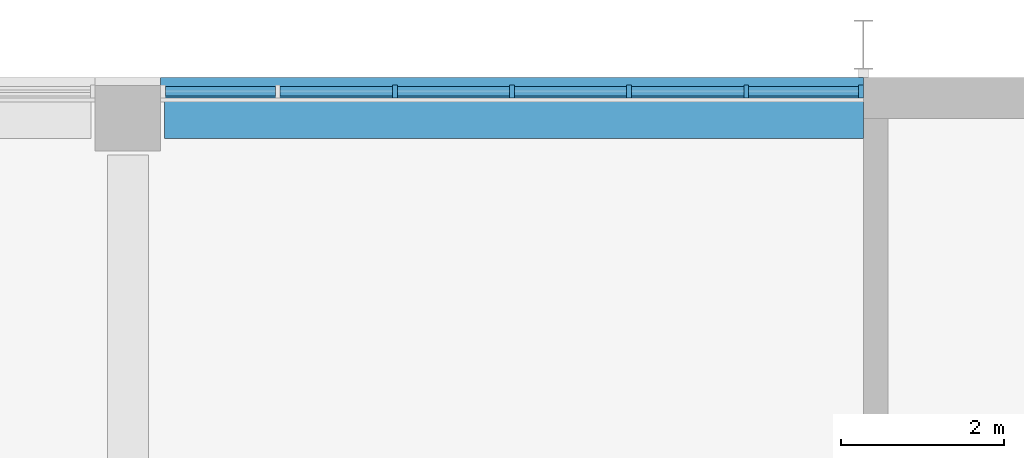
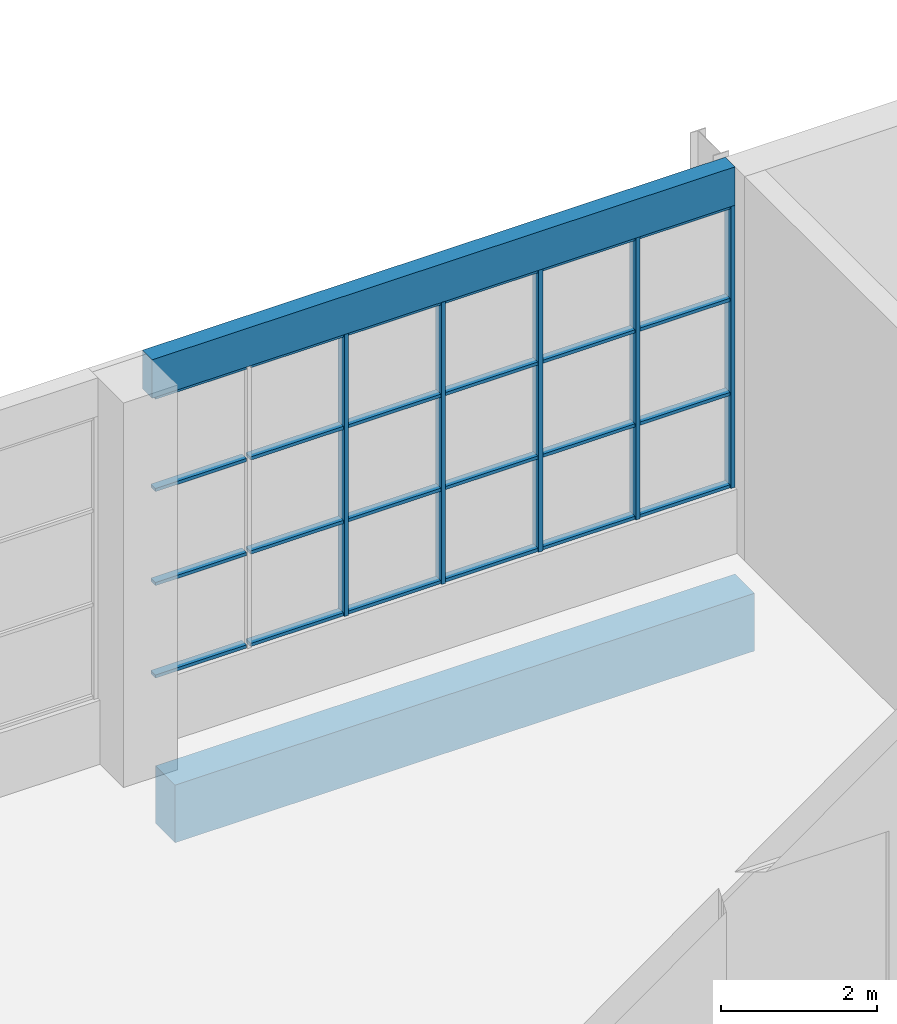
# One storey, part 26 of 89: 29 members, 2 beams, 1 element without a shape of its own.
"""IFC4 building model written with IfcOpenShell, lengths in metres."""

from ifc_helpers import new_model, si_unit, direction, frame, origin, origin_2d, place, context, subcontext, project, spatial, rectangle, extrude, material, material_profile, profile_set, type_object, element, aggregate, save


model = new_model("IFC4")

# Units and contexts
model_context = context("Model", 3, precision=1e-05, world=origin(), true_north=direction((0.0, 1.0)))
body_context = subcontext(model_context, "Body", "Model", "MODEL_VIEW")
ifc_project = project(units=[si_unit("LENGTHUNIT", "METRE"), si_unit("AREAUNIT", "SQUARE_METRE"), si_unit("VOLUMEUNIT", "CUBIC_METRE"), si_unit("PLANEANGLEUNIT", "RADIAN"), si_unit("MASSUNIT", "GRAM", prefix="KILO")], contexts=[model_context])

# Site, building, storey
site_placement = place(None, origin())
site = spatial("IfcSite", under=ifc_project, at=site_placement, CompositionType="ELEMENT")
building_placement = place(site_placement, origin())
building = spatial("IfcBuilding", under=site, at=building_placement, Name="Silverbay Arena", CompositionType="ELEMENT")
storey_placement = place(building_placement, frame((0.0, 0.0, 22.0)))
storey = spatial("IfcBuildingStorey", under=building, at=storey_placement, Name="L03", CompositionType="ELEMENT", Elevation=22.0)

# Curtain wall, members
ifc_material_1 = material(Name="Aluminium framed curtain wall", Category="aluminium")
curtain_wall_type = type_object("IfcCurtainWallType", Name="Curtain wall 8600 x 4400", PredefinedType="NOTDEFINED", material=ifc_material_1)
curtain_wall_placement = place(storey_placement, origin())
curtain_wall = element("IfcCurtainWall", 1, at=curtain_wall_placement, inside=storey, type_object=curtain_wall_type, Name="North curtain wall L03 bay 10", PredefinedType="NOTDEFINED")
ifc_material_2 = material(Name="Aluminium", Category="aluminium")
ifc_material_profile_1 = material_profile(ifc_material_2, rectangle(XDim=0.159912109375, YDim=0.06005859375, at=origin_2d()), Name="Mullion 60 x 160")
ifc_profile_set_1 = profile_set([ifc_material_profile_1], Name="Aluminium")
member_type_1 = type_object("IfcMemberType", Name="Mullion 60 x 160", PredefinedType="MULLION", material=ifc_profile_set_1)
member_1_placement = place(storey_placement, frame((143.969970703125, 144.330078125, 1.0), z_axis=(0.0, 0.0, 1.0), x_axis=(0.0, -1.0, 0.0)))
member_1 = element("IfcMember", 2, at=member_1_placement, type_object=member_type_1, Name="CW12 mullion 1", PredefinedType="MULLION", context=body_context, shape_type="SweptSolid", body=[
    extrude(rectangle(XDim=0.159912109375, YDim=0.06005859375, at=origin_2d()), origin(), (0.0, 0.0, 1.0), 4.39990234375),
])
member_2_placement = place(storey_placement, frame((142.566650390625, 144.330078125, 1.0), z_axis=(0.0, 0.0, 1.0), x_axis=(0.0, -1.0, 0.0)))
member_2 = element("IfcMember", 3, at=member_2_placement, type_object=member_type_1, Name="CW12 mullion 2", PredefinedType="MULLION", context=body_context, shape_type="SweptSolid", body=[
    extrude(rectangle(XDim=0.159912109375, YDim=0.06005859375, at=origin_2d()), origin(), (0.0, 0.0, 1.0), 4.39990234375),
])
member_3_placement = place(storey_placement, frame((141.13330078125, 144.330078125, 1.0), z_axis=(0.0, 0.0, 1.0), x_axis=(0.0, -1.0, 0.0)))
member_3 = element("IfcMember", 4, at=member_3_placement, type_object=member_type_1, Name="CW12 mullion 3", PredefinedType="MULLION", context=body_context, shape_type="SweptSolid", body=[
    extrude(rectangle(XDim=0.159912109375, YDim=0.06005859375, at=origin_2d()), origin(), (0.0, 0.0, 1.0), 4.39990234375),
])
member_4_placement = place(storey_placement, frame((139.699951171875, 144.330078125, 1.0), z_axis=(0.0, 0.0, 1.0), x_axis=(0.0, -1.0, 0.0)))
member_4 = element("IfcMember", 5, at=member_4_placement, type_object=member_type_1, Name="CW12 mullion 4", PredefinedType="MULLION", context=body_context, shape_type="SweptSolid", body=[
    extrude(rectangle(XDim=0.159912109375, YDim=0.06005859375, at=origin_2d()), origin(), (0.0, 0.0, 1.0), 4.39990234375),
])
member_5_placement = place(storey_placement, frame((138.2666015625, 144.330078125, 1.0), z_axis=(0.0, 0.0, 1.0), x_axis=(0.0, -1.0, 0.0)))
member_5 = element("IfcMember", 6, at=member_5_placement, type_object=member_type_1, Name="CW12 mullion 5", PredefinedType="MULLION", context=body_context, shape_type="SweptSolid", body=[
    extrude(rectangle(XDim=0.159912109375, YDim=0.06005859375, at=origin_2d()), origin(), (0.0, 0.0, 1.0), 4.39990234375),
])

# Beams
ifc_material_3 = material(Name="Concrete Grade C45", Category="concrete")
ifc_material_profile_2 = material_profile(ifc_material_3, rectangle(XDim=0.5, YDim=0.89990234375, at=origin_2d()), Name="RC 500x900")
ifc_profile_set_2 = profile_set([ifc_material_profile_2], Name="Concrete Grade C45")
beam_type_1 = type_object("IfcBeamType", Name="RC beam 500x900", PredefinedType="BEAM", material=ifc_profile_set_2)
beam_1_placement = place(storey_placement, frame((135.449951171875, 144.0, -0.800048828125), z_axis=(1.0, 0.0, 0.0), x_axis=(0.0, 1.0, 0.0)))
element("IfcBeam", 7, at=beam_1_placement, inside=storey, type_object=beam_type_1, Name="Floor beam L03 081", PredefinedType="BEAM", context=body_context, shape_type="SweptSolid", body=[
    extrude(rectangle(XDim=0.5, YDim=0.89990234375, at=origin_2d()), origin(), (0.0, 0.0, 1.0), 8.550048828125),
])
ifc_material_4 = material(Name="Concrete Grade C45", Category="concrete")
ifc_material_profile_3 = material_profile(ifc_material_4, rectangle(XDim=0.25, YDim=0.60009765625, at=origin_2d()), Name="RC 250x600")
ifc_profile_set_3 = profile_set([ifc_material_profile_3], Name="Concrete Grade C45")
beam_type_2 = type_object("IfcBeamType", Name="RC facade beam 250x600", PredefinedType="SPANDREL", material=ifc_profile_set_3)
beam_2_placement = place(storey_placement, frame((135.39990234375, 144.375, 5.699951171875), z_axis=(1.0, 0.0, 0.0), x_axis=(0.0, 1.0, 0.0)))
element("IfcBeam", 8, at=beam_2_placement, inside=storey, type_object=beam_type_2, Name="Facade beam L03 north", PredefinedType="SPANDREL", context=body_context, shape_type="SweptSolid", body=[
    extrude(rectangle(XDim=0.25, YDim=0.60009765625, at=origin_2d()), origin(), (0.0, 0.0, 1.0), 8.60009765625),
])

# Member
ifc_material_5 = material(Name="Aluminium", Category="aluminium")
ifc_material_profile_4 = material_profile(ifc_material_5, rectangle(XDim=0.1201171875, YDim=0.050048828125, at=origin_2d()), Name="Transom 50 x 120")
ifc_profile_set_4 = profile_set([ifc_material_profile_4], Name="Aluminium")
member_type_2 = type_object("IfcMemberType", Name="Transom 50 x 120", PredefinedType="USERDEFINED", material=ifc_profile_set_4)
member_6_placement = place(storey_placement, frame((143.93994140625, 144.330078125, 1.02490234375), z_axis=(-1.0, 0.0, 0.0), x_axis=(0.0, -1.0, 0.0)))
member_6 = element("IfcMember", 9, at=member_6_placement, type_object=member_type_2, Name="CW12 transom 1.1", ObjectType="TRANSOM", PredefinedType="USERDEFINED", context=body_context, shape_type="SweptSolid", body=[
    extrude(rectangle(XDim=0.1201171875, YDim=0.050048828125, at=origin_2d()), origin(), (0.0, 0.0, 1.0), 1.34326171875),
])

member_7_placement = place(storey_placement, frame((143.93994140625, 144.330078125, 2.466552734375), z_axis=(-1.0, 0.0, 0.0), x_axis=(0.0, -1.0, 0.0)))
member_7 = element("IfcMember", 10, at=member_7_placement, type_object=member_type_2, Name="CW12 transom 1.2", ObjectType="TRANSOM", PredefinedType="USERDEFINED", context=body_context, shape_type="SweptSolid", body=[
    extrude(rectangle(XDim=0.1201171875, YDim=0.050048828125, at=origin_2d()), origin(), (0.0, 0.0, 1.0), 1.34326171875),
])

member_8_placement = place(storey_placement, frame((143.93994140625, 144.330078125, 3.933349609375), z_axis=(-1.0, 0.0, 0.0), x_axis=(0.0, -1.0, 0.0)))
member_8 = element("IfcMember", 11, at=member_8_placement, type_object=member_type_2, Name="CW12 transom 1.3", ObjectType="TRANSOM", PredefinedType="USERDEFINED", context=body_context, shape_type="SweptSolid", body=[
    extrude(rectangle(XDim=0.1201171875, YDim=0.050048828125, at=origin_2d()), origin(), (0.0, 0.0, 1.0), 1.34326171875),
])

member_9_placement = place(storey_placement, frame((143.93994140625, 144.330078125, 5.375), z_axis=(-1.0, 0.0, 0.0), x_axis=(0.0, -1.0, 0.0)))
member_9 = element("IfcMember", 12, at=member_9_placement, type_object=member_type_2, Name="CW12 transom 1.4", ObjectType="TRANSOM", PredefinedType="USERDEFINED", context=body_context, shape_type="SweptSolid", body=[
    extrude(rectangle(XDim=0.1201171875, YDim=0.050048828125, at=origin_2d()), origin(), (0.0, 0.0, 1.0), 1.34326171875),
])

member_10_placement = place(storey_placement, frame((142.53662109375, 144.330078125, 1.02490234375), z_axis=(-1.0, 0.0, 0.0), x_axis=(0.0, -1.0, 0.0)))
member_10 = element("IfcMember", 13, at=member_10_placement, type_object=member_type_2, Name="CW12 transom 2.1", ObjectType="TRANSOM", PredefinedType="USERDEFINED", context=body_context, shape_type="SweptSolid", body=[
    extrude(rectangle(XDim=0.1201171875, YDim=0.050048828125, at=origin_2d()), origin(), (0.0, 0.0, 1.0), 1.373291015625),
])

member_11_placement = place(storey_placement, frame((142.53662109375, 144.330078125, 2.466552734375), z_axis=(-1.0, 0.0, 0.0), x_axis=(0.0, -1.0, 0.0)))
member_11 = element("IfcMember", 14, at=member_11_placement, type_object=member_type_2, Name="CW12 transom 2.2", ObjectType="TRANSOM", PredefinedType="USERDEFINED", context=body_context, shape_type="SweptSolid", body=[
    extrude(rectangle(XDim=0.1201171875, YDim=0.050048828125, at=origin_2d()), origin(), (0.0, 0.0, 1.0), 1.373291015625),
])

member_12_placement = place(storey_placement, frame((142.53662109375, 144.330078125, 3.933349609375), z_axis=(-1.0, 0.0, 0.0), x_axis=(0.0, -1.0, 0.0)))
member_12 = element("IfcMember", 15, at=member_12_placement, type_object=member_type_2, Name="CW12 transom 2.3", ObjectType="TRANSOM", PredefinedType="USERDEFINED", context=body_context, shape_type="SweptSolid", body=[
    extrude(rectangle(XDim=0.1201171875, YDim=0.050048828125, at=origin_2d()), origin(), (0.0, 0.0, 1.0), 1.373291015625),
])

member_13_placement = place(storey_placement, frame((142.53662109375, 144.330078125, 5.375), z_axis=(-1.0, 0.0, 0.0), x_axis=(0.0, -1.0, 0.0)))
member_13 = element("IfcMember", 16, at=member_13_placement, type_object=member_type_2, Name="CW12 transom 2.4", ObjectType="TRANSOM", PredefinedType="USERDEFINED", context=body_context, shape_type="SweptSolid", body=[
    extrude(rectangle(XDim=0.1201171875, YDim=0.050048828125, at=origin_2d()), origin(), (0.0, 0.0, 1.0), 1.373291015625),
])

member_14_placement = place(storey_placement, frame((141.103271484375, 144.330078125, 1.02490234375), z_axis=(-1.0, 0.0, 0.0), x_axis=(0.0, -1.0, 0.0)))
member_14 = element("IfcMember", 17, at=member_14_placement, type_object=member_type_2, Name="CW12 transom 3.1", ObjectType="TRANSOM", PredefinedType="USERDEFINED", context=body_context, shape_type="SweptSolid", body=[
    extrude(rectangle(XDim=0.1201171875, YDim=0.050048828125, at=origin_2d()), origin(), (0.0, 0.0, 1.0), 1.373291015625),
])

member_15_placement = place(storey_placement, frame((141.103271484375, 144.330078125, 2.466552734375), z_axis=(-1.0, 0.0, 0.0), x_axis=(0.0, -1.0, 0.0)))
member_15 = element("IfcMember", 18, at=member_15_placement, type_object=member_type_2, Name="CW12 transom 3.2", ObjectType="TRANSOM", PredefinedType="USERDEFINED", context=body_context, shape_type="SweptSolid", body=[
    extrude(rectangle(XDim=0.1201171875, YDim=0.050048828125, at=origin_2d()), origin(), (0.0, 0.0, 1.0), 1.373291015625),
])

member_16_placement = place(storey_placement, frame((141.103271484375, 144.330078125, 3.933349609375), z_axis=(-1.0, 0.0, 0.0), x_axis=(0.0, -1.0, 0.0)))
member_16 = element("IfcMember", 19, at=member_16_placement, type_object=member_type_2, Name="CW12 transom 3.3", ObjectType="TRANSOM", PredefinedType="USERDEFINED", context=body_context, shape_type="SweptSolid", body=[
    extrude(rectangle(XDim=0.1201171875, YDim=0.050048828125, at=origin_2d()), origin(), (0.0, 0.0, 1.0), 1.373291015625),
])

member_17_placement = place(storey_placement, frame((141.103271484375, 144.330078125, 5.375), z_axis=(-1.0, 0.0, 0.0), x_axis=(0.0, -1.0, 0.0)))
member_17 = element("IfcMember", 20, at=member_17_placement, type_object=member_type_2, Name="CW12 transom 3.4", ObjectType="TRANSOM", PredefinedType="USERDEFINED", context=body_context, shape_type="SweptSolid", body=[
    extrude(rectangle(XDim=0.1201171875, YDim=0.050048828125, at=origin_2d()), origin(), (0.0, 0.0, 1.0), 1.373291015625),
])

member_18_placement = place(storey_placement, frame((139.669921875, 144.330078125, 1.02490234375), z_axis=(-1.0, 0.0, 0.0), x_axis=(0.0, -1.0, 0.0)))
member_18 = element("IfcMember", 21, at=member_18_placement, type_object=member_type_2, Name="CW12 transom 4.1", ObjectType="TRANSOM", PredefinedType="USERDEFINED", context=body_context, shape_type="SweptSolid", body=[
    extrude(rectangle(XDim=0.1201171875, YDim=0.050048828125, at=origin_2d()), origin(), (0.0, 0.0, 1.0), 1.373291015625),
])

member_19_placement = place(storey_placement, frame((139.669921875, 144.330078125, 2.466552734375), z_axis=(-1.0, 0.0, 0.0), x_axis=(0.0, -1.0, 0.0)))
member_19 = element("IfcMember", 22, at=member_19_placement, type_object=member_type_2, Name="CW12 transom 4.2", ObjectType="TRANSOM", PredefinedType="USERDEFINED", context=body_context, shape_type="SweptSolid", body=[
    extrude(rectangle(XDim=0.1201171875, YDim=0.050048828125, at=origin_2d()), origin(), (0.0, 0.0, 1.0), 1.373291015625),
])

member_20_placement = place(storey_placement, frame((139.669921875, 144.330078125, 3.933349609375), z_axis=(-1.0, 0.0, 0.0), x_axis=(0.0, -1.0, 0.0)))
member_20 = element("IfcMember", 23, at=member_20_placement, type_object=member_type_2, Name="CW12 transom 4.3", ObjectType="TRANSOM", PredefinedType="USERDEFINED", context=body_context, shape_type="SweptSolid", body=[
    extrude(rectangle(XDim=0.1201171875, YDim=0.050048828125, at=origin_2d()), origin(), (0.0, 0.0, 1.0), 1.373291015625),
])

member_21_placement = place(storey_placement, frame((139.669921875, 144.330078125, 5.375), z_axis=(-1.0, 0.0, 0.0), x_axis=(0.0, -1.0, 0.0)))
member_21 = element("IfcMember", 24, at=member_21_placement, type_object=member_type_2, Name="CW12 transom 4.4", ObjectType="TRANSOM", PredefinedType="USERDEFINED", context=body_context, shape_type="SweptSolid", body=[
    extrude(rectangle(XDim=0.1201171875, YDim=0.050048828125, at=origin_2d()), origin(), (0.0, 0.0, 1.0), 1.373291015625),
])

member_22_placement = place(storey_placement, frame((138.236572265625, 144.330078125, 1.02490234375), z_axis=(-1.0, 0.0, 0.0), x_axis=(0.0, -1.0, 0.0)))
member_22 = element("IfcMember", 25, at=member_22_placement, type_object=member_type_2, Name="CW12 transom 5.1", ObjectType="TRANSOM", PredefinedType="USERDEFINED", context=body_context, shape_type="SweptSolid", body=[
    extrude(rectangle(XDim=0.1201171875, YDim=0.050048828125, at=origin_2d()), origin(), (0.0, 0.0, 1.0), 1.373291015625),
])

member_23_placement = place(storey_placement, frame((138.236572265625, 144.330078125, 2.466552734375), z_axis=(-1.0, 0.0, 0.0), x_axis=(0.0, -1.0, 0.0)))
member_23 = element("IfcMember", 26, at=member_23_placement, type_object=member_type_2, Name="CW12 transom 5.2", ObjectType="TRANSOM", PredefinedType="USERDEFINED", context=body_context, shape_type="SweptSolid", body=[
    extrude(rectangle(XDim=0.1201171875, YDim=0.050048828125, at=origin_2d()), origin(), (0.0, 0.0, 1.0), 1.373291015625),
])

member_24_placement = place(storey_placement, frame((138.236572265625, 144.330078125, 3.933349609375), z_axis=(-1.0, 0.0, 0.0), x_axis=(0.0, -1.0, 0.0)))
member_24 = element("IfcMember", 27, at=member_24_placement, type_object=member_type_2, Name="CW12 transom 5.3", ObjectType="TRANSOM", PredefinedType="USERDEFINED", context=body_context, shape_type="SweptSolid", body=[
    extrude(rectangle(XDim=0.1201171875, YDim=0.050048828125, at=origin_2d()), origin(), (0.0, 0.0, 1.0), 1.373291015625),
])

member_25_placement = place(storey_placement, frame((138.236572265625, 144.330078125, 5.375), z_axis=(-1.0, 0.0, 0.0), x_axis=(0.0, -1.0, 0.0)))
member_25 = element("IfcMember", 28, at=member_25_placement, type_object=member_type_2, Name="CW12 transom 5.4", ObjectType="TRANSOM", PredefinedType="USERDEFINED", context=body_context, shape_type="SweptSolid", body=[
    extrude(rectangle(XDim=0.1201171875, YDim=0.050048828125, at=origin_2d()), origin(), (0.0, 0.0, 1.0), 1.373291015625),
])

member_26_placement = place(storey_placement, frame((136.80322265625, 144.330078125, 1.02490234375), z_axis=(-1.0, 0.0, 0.0), x_axis=(0.0, -1.0, 0.0)))
member_26 = element("IfcMember", 29, at=member_26_placement, type_object=member_type_2, Name="CW12 transom 6.1", ObjectType="TRANSOM", PredefinedType="USERDEFINED", context=body_context, shape_type="SweptSolid", body=[
    extrude(rectangle(XDim=0.1201171875, YDim=0.050048828125, at=origin_2d()), origin(), (0.0, 0.0, 1.0), 1.34326171875),
])

member_27_placement = place(storey_placement, frame((136.80322265625, 144.330078125, 2.466552734375), z_axis=(-1.0, 0.0, 0.0), x_axis=(0.0, -1.0, 0.0)))
member_27 = element("IfcMember", 30, at=member_27_placement, type_object=member_type_2, Name="CW12 transom 6.2", ObjectType="TRANSOM", PredefinedType="USERDEFINED", context=body_context, shape_type="SweptSolid", body=[
    extrude(rectangle(XDim=0.1201171875, YDim=0.050048828125, at=origin_2d()), origin(), (0.0, 0.0, 1.0), 1.34326171875),
])

member_28_placement = place(storey_placement, frame((136.80322265625, 144.330078125, 3.933349609375), z_axis=(-1.0, 0.0, 0.0), x_axis=(0.0, -1.0, 0.0)))
member_28 = element("IfcMember", 31, at=member_28_placement, type_object=member_type_2, Name="CW12 transom 6.3", ObjectType="TRANSOM", PredefinedType="USERDEFINED", context=body_context, shape_type="SweptSolid", body=[
    extrude(rectangle(XDim=0.1201171875, YDim=0.050048828125, at=origin_2d()), origin(), (0.0, 0.0, 1.0), 1.34326171875),
])

member_29_placement = place(storey_placement, frame((136.80322265625, 144.330078125, 5.375), z_axis=(-1.0, 0.0, 0.0), x_axis=(0.0, -1.0, 0.0)))
member_29 = element("IfcMember", 32, at=member_29_placement, type_object=member_type_2, Name="CW12 transom 6.4", ObjectType="TRANSOM", PredefinedType="USERDEFINED", context=body_context, shape_type="SweptSolid", body=[
    extrude(rectangle(XDim=0.1201171875, YDim=0.050048828125, at=origin_2d()), origin(), (0.0, 0.0, 1.0), 1.34326171875),
])

aggregate(curtain_wall, [member_1, member_2, member_3, member_4, member_5, member_6, member_7, member_8, member_9, member_10, member_11, member_12, member_13, member_14, member_15, member_16, member_17, member_18, member_19, member_20, member_21, member_22, member_23, member_24, member_25, member_26, member_27, member_28, member_29])

save(model, "model.ifc")
